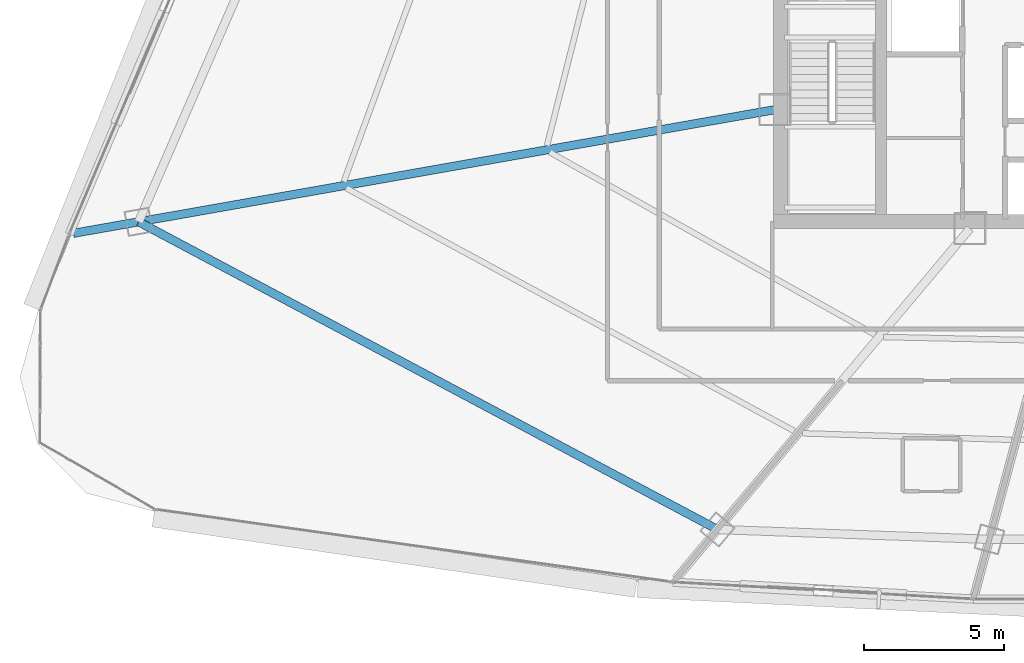
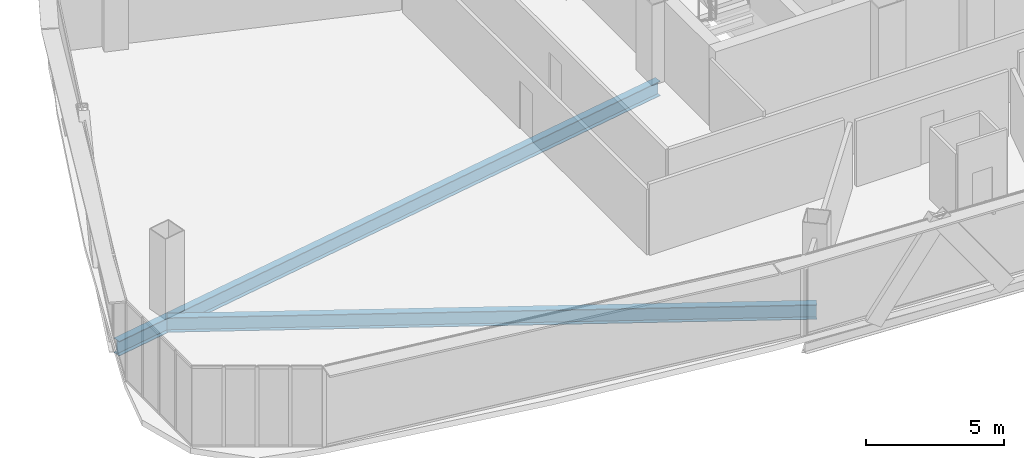
# One storey, part 5 of 40: 2 beams.
"""IFC4 building model written with IfcOpenShell, lengths in metres."""

from ifc_helpers import new_model, si_unit, direction, frame, origin, origin_2d, place, context, subcontext, project, spatial, i_section, extrude, source, transform, mapped, material, material_profile, profile_set, type_object, element, save


model = new_model("IFC4")

# Units and contexts
model_context = context("Model", 3, precision=1e-05, world=origin(), true_north=direction((0.0, 1.0)))
body_context = subcontext(model_context, "Body", "Model", "MODEL_VIEW")
ifc_project = project(units=[si_unit("LENGTHUNIT", "METRE"), si_unit("AREAUNIT", "SQUARE_METRE"), si_unit("VOLUMEUNIT", "CUBIC_METRE"), si_unit("PLANEANGLEUNIT", "RADIAN"), si_unit("MASSUNIT", "GRAM", prefix="KILO"), si_unit("THERMODYNAMICTEMPERATUREUNIT", "KELVIN"), si_unit("POWERUNIT", "WATT")], contexts=[model_context])

# Site, building, storey
site_placement = place(None, origin())
site = spatial("IfcSite", under=ifc_project, at=site_placement, CompositionType="ELEMENT")
building_placement = place(site_placement, origin())
building = spatial("IfcBuilding", under=site, at=building_placement, Name="Yunzhuo Pagoda Commons", CompositionType="ELEMENT")
storey_placement = place(building_placement, frame((0.0, 0.0, 180.9599609375)))
storey = spatial("IfcBuildingStorey", under=building, at=storey_placement, Name="L45", CompositionType="ELEMENT", Elevation=180.9599609375)

# Beams
ifc_material = material(Name="Structural steel Q355B", Category="steel")
ifc_material_profile = material_profile(ifc_material, i_section(OverallWidth=0.300048828125, OverallDepth=0.64990234375, WebThickness=0.012939453125, FlangeThickness=0.02197265625, at=origin_2d()), Name="Structural steel Q355B")
ifc_profile_set = profile_set([ifc_material_profile], Name="Structural steel Q355B")
beam_type = type_object("IfcBeamType", Name="B-RG2 Beam HN 650x300x13x22", PredefinedType="BEAM", material=ifc_profile_set)
shared_shape_1 = source(origin(), body_context, "Body", "SweptSolid", [
    extrude(i_section(OverallWidth=0.300048828125, OverallDepth=0.64990234375, WebThickness=0.012939453125, FlangeThickness=0.02197265625, at=origin_2d()), origin(), (0.0, 0.0, 1.0), 23.49365234375),
])
beam_1_placement = place(storey_placement, frame((12.79345703125, 27.492431640625, -0.5849609375), z_axis=(0.883016269865, -0.469342377325, 0.0), x_axis=(0.469342377325, 0.883016269865, 0.0)))
element("IfcBeam", 1, at=beam_1_placement, inside=storey, type_object=beam_type, Name="L45 column-ring beam 12", PredefinedType="BEAM", context=body_context, shape_type="MappedRepresentation", body=[
    mapped(shared_shape_1, transform((0.0, 0.0, 0.0), scale=1.0)),
])
shared_shape_2 = source(origin(), body_context, "Body", "SweptSolid", [
    extrude(i_section(OverallWidth=0.300048828125, OverallDepth=0.64990234375, WebThickness=0.012939453125, FlangeThickness=0.02197265625, at=origin_2d()), origin(), (0.0, 0.0, 1.0), 25.52734375),
])
beam_2_placement = place(storey_placement, frame((10.46044921875, 27.0810546875, -0.5849609375), z_axis=(0.984810601719, 0.173632021076, 0.0), x_axis=(-0.173632021076, 0.984810601719, 0.0)))
element("IfcBeam", 2, at=beam_2_placement, inside=storey, type_object=beam_type, Name="L45 radial floor girder F3C4", PredefinedType="BEAM", context=body_context, shape_type="MappedRepresentation", body=[
    mapped(shared_shape_2, transform((0.0, 0.0, 0.0), scale=1.0)),
])

save(model, "model.ifc")
